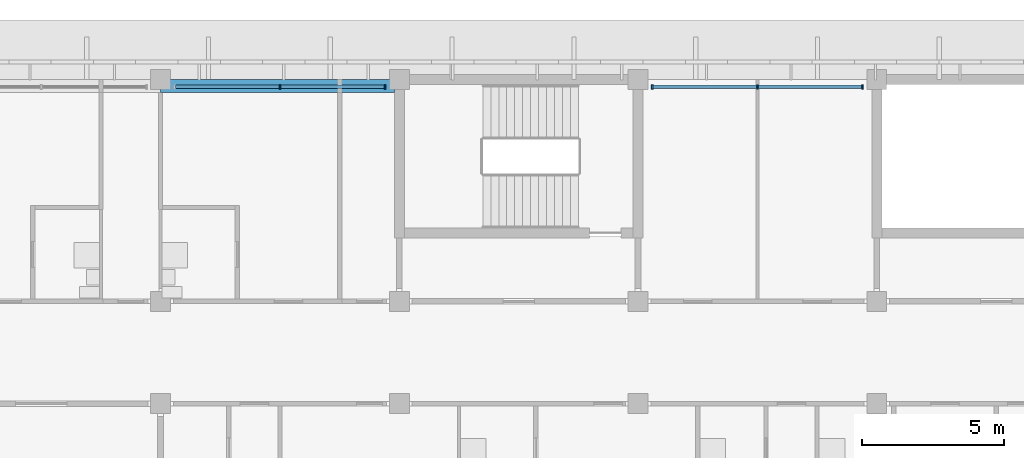
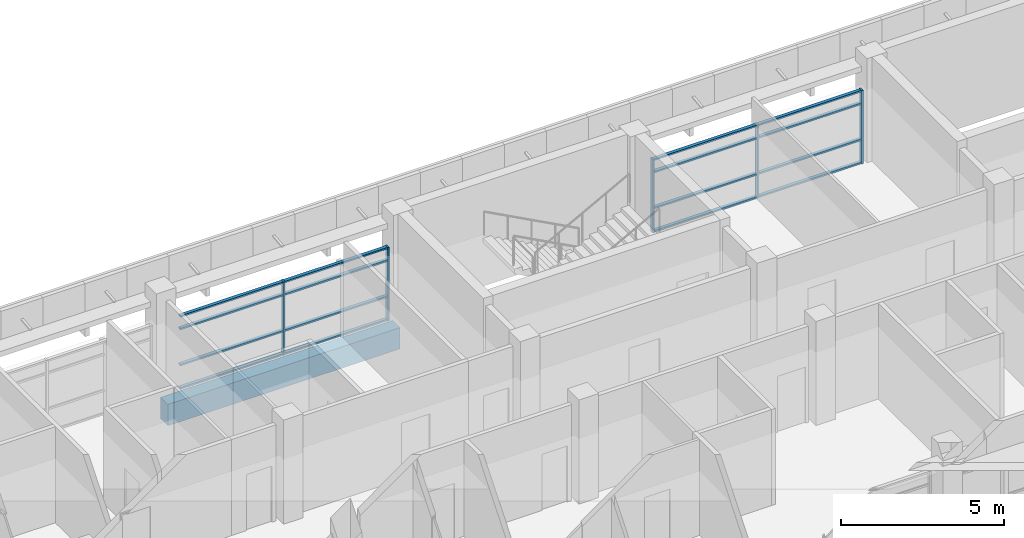
# One storey, part 5 of 36: 21 members, 1 beam, 2 elements without a shape of their own.
"""IFC4 building model written with IfcOpenShell, lengths in metres."""

from ifc_helpers import new_model, si_unit, direction, frame, origin, origin_2d, place, context, subcontext, project, spatial, rectangle, extrude, material, material_profile, profile_set, type_object, element, aggregate, save


model = new_model("IFC4")

# Units and contexts
model_context = context("Model", 3, precision=1e-05, world=origin(), true_north=direction((0.0, 1.0)))
body_context = subcontext(model_context, "Body", "Model", "MODEL_VIEW")
ifc_project = project(units=[si_unit("LENGTHUNIT", "METRE"), si_unit("AREAUNIT", "SQUARE_METRE"), si_unit("VOLUMEUNIT", "CUBIC_METRE"), si_unit("PLANEANGLEUNIT", "RADIAN"), si_unit("MASSUNIT", "GRAM", prefix="KILO")], contexts=[model_context])

# Site, building, storey
site_placement = place(None, origin())
site = spatial("IfcSite", under=ifc_project, at=site_placement, CompositionType="ELEMENT")
building_placement = place(site_placement, origin())
building = spatial("IfcBuilding", under=site, at=building_placement, Name="Bougainvillea Quay General Hospital", CompositionType="ELEMENT")
storey_placement = place(building_placement, frame((0.0, 0.0, 32.699951171875)))
storey = spatial("IfcBuildingStorey", under=building, at=storey_placement, Name="L07", CompositionType="ELEMENT", Elevation=32.699951171875)

# Curtain wall, members
ifc_material_1 = material(Name="Aluminium curtain wall system, powder-coated glazed", Category="aluminium")
curtain_wall_type = type_object("IfcCurtainWallType", Name="Unitised curtain wall CW-3730", PredefinedType="NOTDEFINED", material=ifc_material_1)
curtain_wall_1_placement = place(storey_placement, origin())
curtain_wall_1 = element("IfcCurtainWall", 1, at=curtain_wall_1_placement, inside=storey, type_object=curtain_wall_type, Name="CW-4200 07", PredefinedType="NOTDEFINED")
ifc_material_2 = material(Name="Aluminium mullion, powder-coated charcoal", Category="aluminium")
ifc_material_profile_1 = material_profile(ifc_material_2, rectangle(XDim=0.159912109375, YDim=0.06005859375, at=origin_2d()))
ifc_profile_set_1 = profile_set([ifc_material_profile_1], Name="Aluminium mullion, powder-coated charcoal")
member_type_1 = type_object("IfcMemberType", Name="Curtain wall mullion 160x60", PredefinedType="MULLION", material=ifc_profile_set_1)
member_1_placement = place(storey_placement, frame((100.300048828125, 159.35009765625, 0.0), z_axis=(0.0, 0.0, 1.0), x_axis=(0.0, -1.0, 0.0)))
member_1 = element("IfcMember", 2, at=member_1_placement, type_object=member_type_1, Name="CW-4200 mullion 1", PredefinedType="MULLION", context=body_context, shape_type="SweptSolid", body=[
    extrude(rectangle(XDim=0.159912109375, YDim=0.06005859375, at=origin_2d()), origin(), (0.0, 0.0, 1.0), 2.75),
])
member_2_placement = place(storey_placement, frame((96.60009765625, 159.35009765625, 0.0), z_axis=(0.0, 0.0, 1.0), x_axis=(0.0, -1.0, 0.0)))
member_2 = element("IfcMember", 3, at=member_2_placement, type_object=member_type_1, Name="CW-4200 mullion 2", PredefinedType="MULLION", context=body_context, shape_type="SweptSolid", body=[
    extrude(rectangle(XDim=0.159912109375, YDim=0.06005859375, at=origin_2d()), origin(), (0.0, 0.0, 1.0), 2.75),
])
member_3_placement = place(storey_placement, frame((92.89990234375, 159.35009765625, 0.0), z_axis=(0.0, 0.0, 1.0), x_axis=(0.0, -1.0, 0.0)))
member_3 = element("IfcMember", 4, at=member_3_placement, type_object=member_type_1, Name="CW-4200 mullion 3", PredefinedType="MULLION", context=body_context, shape_type="SweptSolid", body=[
    extrude(rectangle(XDim=0.159912109375, YDim=0.06005859375, at=origin_2d()), origin(), (0.0, 0.0, 1.0), 2.75),
])

curtain_wall_2_placement = place(storey_placement, origin())
curtain_wall_2 = element("IfcCurtainWall", 5, at=curtain_wall_2_placement, inside=storey, type_object=curtain_wall_type, Name="CW-4200 08", PredefinedType="NOTDEFINED")
member_4_placement = place(storey_placement, frame((83.5, 159.35009765625, 0.0), z_axis=(0.0, 0.0, 1.0), x_axis=(0.0, -1.0, 0.0)))
member_4 = element("IfcMember", 6, at=member_4_placement, type_object=member_type_1, Name="CW-4200 mullion 1", PredefinedType="MULLION", context=body_context, shape_type="SweptSolid", body=[
    extrude(rectangle(XDim=0.159912109375, YDim=0.06005859375, at=origin_2d()), origin(), (0.0, 0.0, 1.0), 2.75),
])
member_5_placement = place(storey_placement, frame((79.800048828125, 159.35009765625, 0.0), z_axis=(0.0, 0.0, 1.0), x_axis=(0.0, -1.0, 0.0)))
member_5 = element("IfcMember", 7, at=member_5_placement, type_object=member_type_1, Name="CW-4200 mullion 2", PredefinedType="MULLION", context=body_context, shape_type="SweptSolid", body=[
    extrude(rectangle(XDim=0.159912109375, YDim=0.06005859375, at=origin_2d()), origin(), (0.0, 0.0, 1.0), 2.75),
])

# Member
ifc_material_3 = material(Name="Aluminium transom, powder-coated charcoal", Category="aluminium")
ifc_material_profile_2 = material_profile(ifc_material_3, rectangle(XDim=0.1201171875, YDim=0.06005859375, at=origin_2d()))
ifc_profile_set_2 = profile_set([ifc_material_profile_2], Name="Aluminium transom, powder-coated charcoal")
member_type_2 = type_object("IfcMemberType", Name="Curtain wall transom 120x60", PredefinedType="USERDEFINED", material=ifc_profile_set_2)
member_6_placement = place(storey_placement, frame((100.27001953125, 159.35009765625, 0.030029296875), z_axis=(-1.0, 0.0, 0.0), x_axis=(0.0, -1.0, 0.0)))
member_6 = element("IfcMember", 8, at=member_6_placement, type_object=member_type_2, Name="CW-4200 transom 1.1", ObjectType="TRANSOM", PredefinedType="USERDEFINED", context=body_context, shape_type="SweptSolid", body=[
    extrude(rectangle(XDim=0.1201171875, YDim=0.06005859375, at=origin_2d()), origin(), (0.0, 0.0, 1.0), 3.64013671875),
])

member_7_placement = place(storey_placement, frame((100.27001953125, 159.35009765625, 0.900146484375), z_axis=(-1.0, 0.0, 0.0), x_axis=(0.0, -1.0, 0.0)))
member_7 = element("IfcMember", 9, at=member_7_placement, type_object=member_type_2, Name="CW-4200 transom 1.2", ObjectType="TRANSOM", PredefinedType="USERDEFINED", context=body_context, shape_type="SweptSolid", body=[
    extrude(rectangle(XDim=0.1201171875, YDim=0.06005859375, at=origin_2d()), origin(), (0.0, 0.0, 1.0), 3.64013671875),
])

member_8_placement = place(storey_placement, frame((100.27001953125, 159.35009765625, 2.25), z_axis=(-1.0, 0.0, 0.0), x_axis=(0.0, -1.0, 0.0)))
member_8 = element("IfcMember", 10, at=member_8_placement, type_object=member_type_2, Name="CW-4200 transom 1.3", ObjectType="TRANSOM", PredefinedType="USERDEFINED", context=body_context, shape_type="SweptSolid", body=[
    extrude(rectangle(XDim=0.1201171875, YDim=0.06005859375, at=origin_2d()), origin(), (0.0, 0.0, 1.0), 3.64013671875),
])

member_9_placement = place(storey_placement, frame((100.27001953125, 159.35009765625, 2.719970703125), z_axis=(-1.0, 0.0, 0.0), x_axis=(0.0, -1.0, 0.0)))
member_9 = element("IfcMember", 11, at=member_9_placement, type_object=member_type_2, Name="CW-4200 transom 1.4", ObjectType="TRANSOM", PredefinedType="USERDEFINED", context=body_context, shape_type="SweptSolid", body=[
    extrude(rectangle(XDim=0.1201171875, YDim=0.06005859375, at=origin_2d()), origin(), (0.0, 0.0, 1.0), 3.64013671875),
])

member_10_placement = place(storey_placement, frame((96.570068359375, 159.35009765625, 0.030029296875), z_axis=(-1.0, 0.0, 0.0), x_axis=(0.0, -1.0, 0.0)))
member_10 = element("IfcMember", 12, at=member_10_placement, type_object=member_type_2, Name="CW-4200 transom 2.1", ObjectType="TRANSOM", PredefinedType="USERDEFINED", context=body_context, shape_type="SweptSolid", body=[
    extrude(rectangle(XDim=0.1201171875, YDim=0.06005859375, at=origin_2d()), origin(), (0.0, 0.0, 1.0), 3.64013671875),
])

member_11_placement = place(storey_placement, frame((96.570068359375, 159.35009765625, 0.900146484375), z_axis=(-1.0, 0.0, 0.0), x_axis=(0.0, -1.0, 0.0)))
member_11 = element("IfcMember", 13, at=member_11_placement, type_object=member_type_2, Name="CW-4200 transom 2.2", ObjectType="TRANSOM", PredefinedType="USERDEFINED", context=body_context, shape_type="SweptSolid", body=[
    extrude(rectangle(XDim=0.1201171875, YDim=0.06005859375, at=origin_2d()), origin(), (0.0, 0.0, 1.0), 3.64013671875),
])

member_12_placement = place(storey_placement, frame((96.570068359375, 159.35009765625, 2.25), z_axis=(-1.0, 0.0, 0.0), x_axis=(0.0, -1.0, 0.0)))
member_12 = element("IfcMember", 14, at=member_12_placement, type_object=member_type_2, Name="CW-4200 transom 2.3", ObjectType="TRANSOM", PredefinedType="USERDEFINED", context=body_context, shape_type="SweptSolid", body=[
    extrude(rectangle(XDim=0.1201171875, YDim=0.06005859375, at=origin_2d()), origin(), (0.0, 0.0, 1.0), 3.64013671875),
])

member_13_placement = place(storey_placement, frame((96.570068359375, 159.35009765625, 2.719970703125), z_axis=(-1.0, 0.0, 0.0), x_axis=(0.0, -1.0, 0.0)))
member_13 = element("IfcMember", 15, at=member_13_placement, type_object=member_type_2, Name="CW-4200 transom 2.4", ObjectType="TRANSOM", PredefinedType="USERDEFINED", context=body_context, shape_type="SweptSolid", body=[
    extrude(rectangle(XDim=0.1201171875, YDim=0.06005859375, at=origin_2d()), origin(), (0.0, 0.0, 1.0), 3.64013671875),
])

aggregate(curtain_wall_1, [member_1, member_2, member_3, member_6, member_7, member_8, member_9, member_10, member_11, member_12, member_13])

member_14_placement = place(storey_placement, frame((83.469970703125, 159.35009765625, 0.030029296875), z_axis=(-1.0, 0.0, 0.0), x_axis=(0.0, -1.0, 0.0)))
member_14 = element("IfcMember", 16, at=member_14_placement, type_object=member_type_2, Name="CW-4200 transom 1.1", ObjectType="TRANSOM", PredefinedType="USERDEFINED", context=body_context, shape_type="SweptSolid", body=[
    extrude(rectangle(XDim=0.1201171875, YDim=0.06005859375, at=origin_2d()), origin(), (0.0, 0.0, 1.0), 3.639892578125),
])

member_15_placement = place(storey_placement, frame((83.469970703125, 159.35009765625, 0.900146484375), z_axis=(-1.0, 0.0, 0.0), x_axis=(0.0, -1.0, 0.0)))
member_15 = element("IfcMember", 17, at=member_15_placement, type_object=member_type_2, Name="CW-4200 transom 1.2", ObjectType="TRANSOM", PredefinedType="USERDEFINED", context=body_context, shape_type="SweptSolid", body=[
    extrude(rectangle(XDim=0.1201171875, YDim=0.06005859375, at=origin_2d()), origin(), (0.0, 0.0, 1.0), 3.639892578125),
])

member_16_placement = place(storey_placement, frame((83.469970703125, 159.35009765625, 2.25), z_axis=(-1.0, 0.0, 0.0), x_axis=(0.0, -1.0, 0.0)))
member_16 = element("IfcMember", 18, at=member_16_placement, type_object=member_type_2, Name="CW-4200 transom 1.3", ObjectType="TRANSOM", PredefinedType="USERDEFINED", context=body_context, shape_type="SweptSolid", body=[
    extrude(rectangle(XDim=0.1201171875, YDim=0.06005859375, at=origin_2d()), origin(), (0.0, 0.0, 1.0), 3.639892578125),
])

member_17_placement = place(storey_placement, frame((83.469970703125, 159.35009765625, 2.719970703125), z_axis=(-1.0, 0.0, 0.0), x_axis=(0.0, -1.0, 0.0)))
member_17 = element("IfcMember", 19, at=member_17_placement, type_object=member_type_2, Name="CW-4200 transom 1.4", ObjectType="TRANSOM", PredefinedType="USERDEFINED", context=body_context, shape_type="SweptSolid", body=[
    extrude(rectangle(XDim=0.1201171875, YDim=0.06005859375, at=origin_2d()), origin(), (0.0, 0.0, 1.0), 3.639892578125),
])

member_18_placement = place(storey_placement, frame((79.77001953125, 159.35009765625, 0.030029296875), z_axis=(-1.0, 0.0, 0.0), x_axis=(0.0, -1.0, 0.0)))
member_18 = element("IfcMember", 20, at=member_18_placement, type_object=member_type_2, Name="CW-4200 transom 2.1", ObjectType="TRANSOM", PredefinedType="USERDEFINED", context=body_context, shape_type="SweptSolid", body=[
    extrude(rectangle(XDim=0.1201171875, YDim=0.06005859375, at=origin_2d()), origin(), (0.0, 0.0, 1.0), 3.64013671875),
])

member_19_placement = place(storey_placement, frame((79.77001953125, 159.35009765625, 0.900146484375), z_axis=(-1.0, 0.0, 0.0), x_axis=(0.0, -1.0, 0.0)))
member_19 = element("IfcMember", 21, at=member_19_placement, type_object=member_type_2, Name="CW-4200 transom 2.2", ObjectType="TRANSOM", PredefinedType="USERDEFINED", context=body_context, shape_type="SweptSolid", body=[
    extrude(rectangle(XDim=0.1201171875, YDim=0.06005859375, at=origin_2d()), origin(), (0.0, 0.0, 1.0), 3.64013671875),
])

member_20_placement = place(storey_placement, frame((79.77001953125, 159.35009765625, 2.25), z_axis=(-1.0, 0.0, 0.0), x_axis=(0.0, -1.0, 0.0)))
member_20 = element("IfcMember", 22, at=member_20_placement, type_object=member_type_2, Name="CW-4200 transom 2.3", ObjectType="TRANSOM", PredefinedType="USERDEFINED", context=body_context, shape_type="SweptSolid", body=[
    extrude(rectangle(XDim=0.1201171875, YDim=0.06005859375, at=origin_2d()), origin(), (0.0, 0.0, 1.0), 3.64013671875),
])

member_21_placement = place(storey_placement, frame((79.77001953125, 159.35009765625, 2.719970703125), z_axis=(-1.0, 0.0, 0.0), x_axis=(0.0, -1.0, 0.0)))
member_21 = element("IfcMember", 23, at=member_21_placement, type_object=member_type_2, Name="CW-4200 transom 2.4", ObjectType="TRANSOM", PredefinedType="USERDEFINED", context=body_context, shape_type="SweptSolid", body=[
    extrude(rectangle(XDim=0.1201171875, YDim=0.06005859375, at=origin_2d()), origin(), (0.0, 0.0, 1.0), 3.64013671875),
])

aggregate(curtain_wall_2, [member_4, member_5, member_14, member_15, member_16, member_17, member_18, member_19, member_20, member_21])

# Beam
ifc_material_4 = material(Name="Concrete C40", Category="concrete")
ifc_material_profile_3 = material_profile(ifc_material_4, rectangle(XDim=0.449951171875, YDim=0.800048828125, at=origin_2d()))
ifc_profile_set_3 = profile_set([ifc_material_profile_3], Name="Concrete C40")
beam_type = type_object("IfcBeamType", Name="RC BEAM 450x800 C40", PredefinedType="BEAM", material=ifc_profile_set_3)
beam_placement = place(storey_placement, frame((83.824951171875, 159.375, -0.699951171875), z_axis=(-1.0, 0.0, 0.0), x_axis=(0.0, -1.0, 0.0)))
element("IfcBeam", 24, at=beam_placement, inside=storey, type_object=beam_type, Name="Edge beam L07", PredefinedType="BEAM", context=body_context, shape_type="SweptSolid", body=[
    extrude(rectangle(XDim=0.449951171875, YDim=0.800048828125, at=origin_2d()), origin(), (0.0, 0.0, 1.0), 8.224853515625),
])

save(model, "model.ifc")
